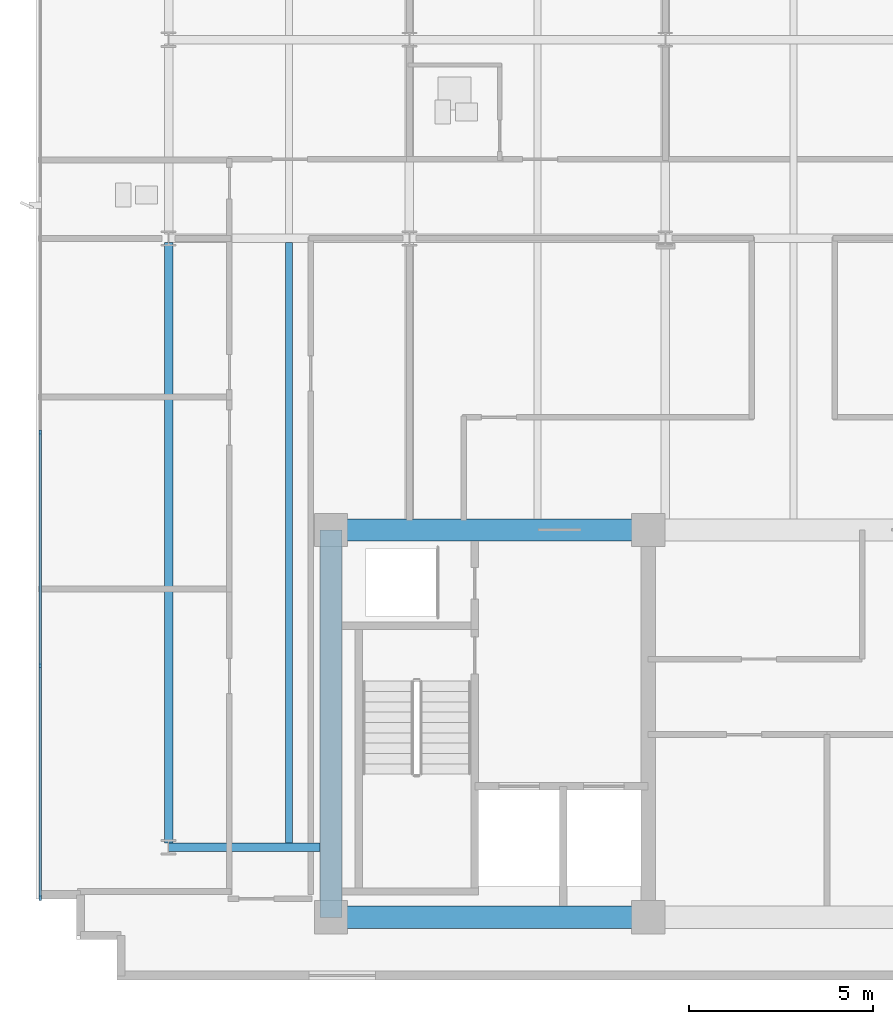
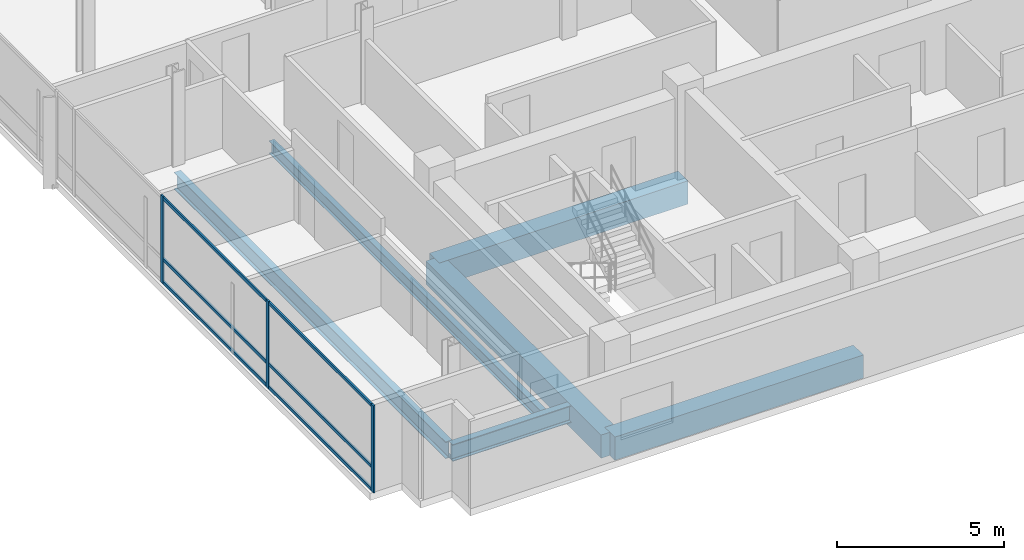
# One storey, part 2 of 17: 9 members, 6 beams, 1 element without a shape of its own.
"""IFC4 building model written with IfcOpenShell, lengths in metres."""

from ifc_helpers import new_model, si_unit, direction, frame, origin, origin_2d, place, context, subcontext, project, spatial, rectangle, i_section, extrude, material, material_profile, profile_set, type_object, element, aggregate, save


model = new_model("IFC4")

# Units and contexts
model_context = context("Model", 3, precision=1e-05, world=origin(), true_north=direction((0.0, 1.0)))
body_context = subcontext(model_context, "Body", "Model", "MODEL_VIEW")
ifc_project = project(units=[si_unit("LENGTHUNIT", "METRE"), si_unit("AREAUNIT", "SQUARE_METRE"), si_unit("VOLUMEUNIT", "CUBIC_METRE"), si_unit("PLANEANGLEUNIT", "RADIAN"), si_unit("MASSUNIT", "GRAM", prefix="KILO")], contexts=[model_context])

# Site, building, storey
site_placement = place(None, origin())
site = spatial("IfcSite", under=ifc_project, at=site_placement, CompositionType="ELEMENT")
building_placement = place(site_placement, origin())
building = spatial("IfcBuilding", under=site, at=building_placement, Name="Solmavex Isthmus Hotel", CompositionType="ELEMENT")
storey_placement = place(building_placement, frame((0.0, 0.0, 266.10009765625)))
storey = spatial("IfcBuildingStorey", under=building, at=storey_placement, Name="L72", CompositionType="ELEMENT", Elevation=266.10009765625)

# Beams
ifc_material_1 = material(Name="Steel ASTM A992 Grade 50", Category="steel")
ifc_material_profile_1 = material_profile(ifc_material_1, i_section(OverallWidth=0.1904296875, OverallDepth=0.456787109375, WebThickness=0.009033203125, FlangeThickness=0.014404296875, FilletRadius=0.0126953125, at=origin_2d()), Name="W18X50")
ifc_profile_set_1 = profile_set([ifc_material_profile_1], Name="Steel ASTM A992 Grade 50")
beam_type_1 = type_object("IfcBeamType", Name="BM-BJ-W18X50", PredefinedType="JOIST", material=ifc_profile_set_1)
beam_1_placement = place(storey_placement, frame((-17.135986328125, -10.98486328125, -0.488525390625), z_axis=(0.0, 1.0, 0.0), x_axis=(-1.0, 0.0, 0.0)))
element("IfcBeam", 1, at=beam_1_placement, inside=storey, type_object=beam_type_1, Name="Secondary Floor Joist L72-J01", PredefinedType="JOIST", context=body_context, shape_type="SweptSolid", body=[
    extrude(i_section(OverallWidth=0.1904296875, OverallDepth=0.456787109375, WebThickness=0.009033203125, FlangeThickness=0.014404296875, FilletRadius=0.0126953125, at=origin_2d()), origin(), (0.0, 0.0, 1.0), 16.27099609375),
])
ifc_material_2 = material(Name="Concrete C50/60", Category="concrete")
ifc_material_profile_2 = material_profile(ifc_material_2, rectangle(XDim=0.60009765625, YDim=0.85009765625, at=origin_2d()), Name="RC600X850")
ifc_profile_set_2 = profile_set([ifc_material_profile_2], Name="Concrete C50/60")
beam_type_2 = type_object("IfcBeamType", Name="BM-CB-600X850", PredefinedType="BEAM", material=ifc_profile_set_2)
for number, where, z_axis, x_axis, name in (
    (2, (-16.0, -13.0, -0.68505859375), (1.0, 0.0, 0.0), (0.0, 1.0, 0.0), "Core Coupling Beam L72-CB1"),
    (3, (-16.0, -2.5, -0.68505859375), (1.0, 0.0, 0.0), (0.0, 1.0, 0.0), "Core Coupling Beam L72-CB4"),
):
    element("IfcBeam", number, at=place(storey_placement, frame(where, z_axis=z_axis, x_axis=x_axis)), inside=storey, type_object=beam_type_2, Name=name, PredefinedType="BEAM", context=body_context, shape_type="SweptSolid", body=[
        extrude(rectangle(XDim=0.60009765625, YDim=0.85009765625, at=origin_2d()), origin(), (0.0, 0.0, 1.0), 8.60009765625),
    ])
beam_2_placement = place(storey_placement, frame((-16.0, -13.0, -0.68505859375), z_axis=(0.0, 1.0, 0.0), x_axis=(-1.0, 0.0, 0.0)))
element("IfcBeam", 4, at=beam_2_placement, inside=storey, type_object=beam_type_2, Name="Core Coupling Beam L72-CB7", PredefinedType="BEAM", context=body_context, shape_type="SweptSolid", body=[
    extrude(rectangle(XDim=0.60009765625, YDim=0.85009765625, at=origin_2d()), origin(), (0.0, 0.0, 1.0), 10.5),
])
ifc_material_profile_3 = material_profile(ifc_material_1, i_section(OverallWidth=0.230224609375, OverallDepth=0.617431640625, WebThickness=0.01318359375, FlangeThickness=0.022216796875, FilletRadius=0.01513671875, at=origin_2d()), Name="W24X94")
ifc_profile_set_3 = profile_set([ifc_material_profile_3], Name="Steel ASTM A992 Grade 50")
beam_type_3 = type_object("IfcBeamType", Name="BM-SP-W24X94", PredefinedType="SPANDREL", material=ifc_profile_set_3)
beam_3_placement = place(storey_placement, frame((-20.39990234375, -11.10009765625, -0.56884765625), z_axis=(1.0, 0.0, 0.0), x_axis=(0.0, 1.0, 0.0)))
element("IfcBeam", 5, at=beam_3_placement, inside=storey, type_object=beam_type_3, Name="Floor Girder L72-UG01", PredefinedType="SPANDREL", context=body_context, shape_type="SweptSolid", body=[
    extrude(i_section(OverallWidth=0.230224609375, OverallDepth=0.617431640625, WebThickness=0.01318359375, FlangeThickness=0.022216796875, FilletRadius=0.01513671875, at=origin_2d()), origin(), (0.0, 0.0, 1.0), 4.099853515625),
])
beam_4_placement = place(storey_placement, frame((-20.39990234375, -10.98486328125, -0.56884765625), z_axis=(0.0, 1.0, 0.0), x_axis=(-1.0, 0.0, 0.0)))
element("IfcBeam", 6, at=beam_4_placement, inside=storey, type_object=beam_type_3, Name="Floor Beam L72-VG21", PredefinedType="SPANDREL", context=body_context, shape_type="SweptSolid", body=[
    extrude(i_section(OverallWidth=0.230224609375, OverallDepth=0.617431640625, WebThickness=0.01318359375, FlangeThickness=0.022216796875, FilletRadius=0.01513671875, at=origin_2d()), origin(), (0.0, 0.0, 1.0), 16.27099609375),
])

# Curtain wall, members
ifc_material_3 = material(Name="Aluminium alloy 6063-T6", Category="aluminium")
curtain_wall_type = type_object("IfcCurtainWallType", Name="CW-SYS-06", PredefinedType="NOTDEFINED", material=ifc_material_3)
curtain_wall_placement = place(storey_placement, origin())
curtain_wall = element("IfcCurtainWall", 7, at=curtain_wall_placement, inside=storey, type_object=curtain_wall_type, Name="Stick Curtain Wall CWL-L72-W1", PredefinedType="NOTDEFINED")
ifc_material_profile_4 = material_profile(ifc_material_3, rectangle(XDim=0.06005859375, YDim=0.139892578125, at=origin_2d()), Name="CWM-60X140")
ifc_profile_set_4 = profile_set([ifc_material_profile_4], Name="Aluminium alloy 6063-T6")
member_type_1 = type_object("IfcMemberType", Name="CW-SYS-06-MUL", PredefinedType="MULLION", material=ifc_profile_set_4)
member_1_placement = place(storey_placement, frame((-23.8798828125, -12.469970703125, 0.0), z_axis=(0.0, 0.0, 1.0), x_axis=(-1.0, 0.0, 0.0)))
member_1 = element("IfcMember", 8, at=member_1_placement, type_object=member_type_1, Name="CW-06 mullion 1", PredefinedType="MULLION", context=body_context, shape_type="SweptSolid", body=[
    extrude(rectangle(XDim=0.06005859375, YDim=0.139892578125, at=origin_2d()), origin(), (0.0, 0.0, 1.0), 3.18994140625),
])
member_2_placement = place(storey_placement, frame((-23.8798828125, -6.179931640625, 0.0), z_axis=(0.0, 0.0, 1.0), x_axis=(-1.0, 0.0, 0.0)))
member_2 = element("IfcMember", 9, at=member_2_placement, type_object=member_type_1, Name="CW-06 mullion 2", PredefinedType="MULLION", context=body_context, shape_type="SweptSolid", body=[
    extrude(rectangle(XDim=0.06005859375, YDim=0.139892578125, at=origin_2d()), origin(), (0.0, 0.0, 1.0), 3.18994140625),
])
member_3_placement = place(storey_placement, frame((-23.8798828125, 0.139892578125, 0.0), z_axis=(0.0, 0.0, 1.0), x_axis=(-1.0, 0.0, 0.0)))
member_3 = element("IfcMember", 10, at=member_3_placement, type_object=member_type_1, Name="CW-06 mullion 3", PredefinedType="MULLION", context=body_context, shape_type="SweptSolid", body=[
    extrude(rectangle(XDim=0.06005859375, YDim=0.139892578125, at=origin_2d()), origin(), (0.0, 0.0, 1.0), 3.18994140625),
])
ifc_material_profile_5 = material_profile(ifc_material_3, rectangle(XDim=0.06005859375, YDim=0.114990234375, at=origin_2d()), Name="CWT-60X115")
ifc_profile_set_5 = profile_set([ifc_material_profile_5], Name="Aluminium alloy 6063-T6")
member_type_2 = type_object("IfcMemberType", Name="CW-SYS-06-TRN", PredefinedType="USERDEFINED", material=ifc_profile_set_5)
member_4_placement = place(storey_placement, frame((-23.8798828125, -12.43994140625, 0.057373046875), z_axis=(0.0, 1.0, 0.0), x_axis=(-1.0, 0.0, 0.0)))
member_4 = element("IfcMember", 11, at=member_4_placement, type_object=member_type_2, Name="CW-06 transom 1.1", ObjectType="TRANSOM", PredefinedType="USERDEFINED", context=body_context, shape_type="SweptSolid", body=[
    extrude(rectangle(XDim=0.06005859375, YDim=0.114990234375, at=origin_2d()), origin(), (0.0, 0.0, 1.0), 6.22998046875),
])
member_5_placement = place(storey_placement, frame((-23.8798828125, -12.43994140625, 0.89990234375), z_axis=(0.0, 1.0, 0.0), x_axis=(-1.0, 0.0, 0.0)))
member_5 = element("IfcMember", 12, at=member_5_placement, type_object=member_type_2, Name="CW-06 transom 1.2", ObjectType="TRANSOM", PredefinedType="USERDEFINED", context=body_context, shape_type="SweptSolid", body=[
    extrude(rectangle(XDim=0.06005859375, YDim=0.114990234375, at=origin_2d()), origin(), (0.0, 0.0, 1.0), 6.22998046875),
])
member_6_placement = place(storey_placement, frame((-23.8798828125, -12.43994140625, 3.13232421875), z_axis=(0.0, 1.0, 0.0), x_axis=(-1.0, 0.0, 0.0)))
member_6 = element("IfcMember", 13, at=member_6_placement, type_object=member_type_2, Name="CW-06 transom 1.3", ObjectType="TRANSOM", PredefinedType="USERDEFINED", context=body_context, shape_type="SweptSolid", body=[
    extrude(rectangle(XDim=0.06005859375, YDim=0.114990234375, at=origin_2d()), origin(), (0.0, 0.0, 1.0), 6.22998046875),
])
member_7_placement = place(storey_placement, frame((-23.8798828125, -6.14990234375, 0.057373046875), z_axis=(0.0, 1.0, 0.0), x_axis=(-1.0, 0.0, 0.0)))
member_7 = element("IfcMember", 14, at=member_7_placement, type_object=member_type_2, Name="CW-06 transom 2.1", ObjectType="TRANSOM", PredefinedType="USERDEFINED", context=body_context, shape_type="SweptSolid", body=[
    extrude(rectangle(XDim=0.06005859375, YDim=0.114990234375, at=origin_2d()), origin(), (0.0, 0.0, 1.0), 6.260009765625),
])
member_8_placement = place(storey_placement, frame((-23.8798828125, -6.14990234375, 0.89990234375), z_axis=(0.0, 1.0, 0.0), x_axis=(-1.0, 0.0, 0.0)))
member_8 = element("IfcMember", 15, at=member_8_placement, type_object=member_type_2, Name="CW-06 transom 2.2", ObjectType="TRANSOM", PredefinedType="USERDEFINED", context=body_context, shape_type="SweptSolid", body=[
    extrude(rectangle(XDim=0.06005859375, YDim=0.114990234375, at=origin_2d()), origin(), (0.0, 0.0, 1.0), 6.260009765625),
])
member_9_placement = place(storey_placement, frame((-23.8798828125, -6.14990234375, 3.13232421875), z_axis=(0.0, 1.0, 0.0), x_axis=(-1.0, 0.0, 0.0)))
member_9 = element("IfcMember", 16, at=member_9_placement, type_object=member_type_2, Name="CW-06 transom 2.3", ObjectType="TRANSOM", PredefinedType="USERDEFINED", context=body_context, shape_type="SweptSolid", body=[
    extrude(rectangle(XDim=0.06005859375, YDim=0.114990234375, at=origin_2d()), origin(), (0.0, 0.0, 1.0), 6.260009765625),
])
aggregate(curtain_wall, [member_1, member_2, member_3, member_4, member_5, member_6, member_7, member_8, member_9])

save(model, "model.ifc")
